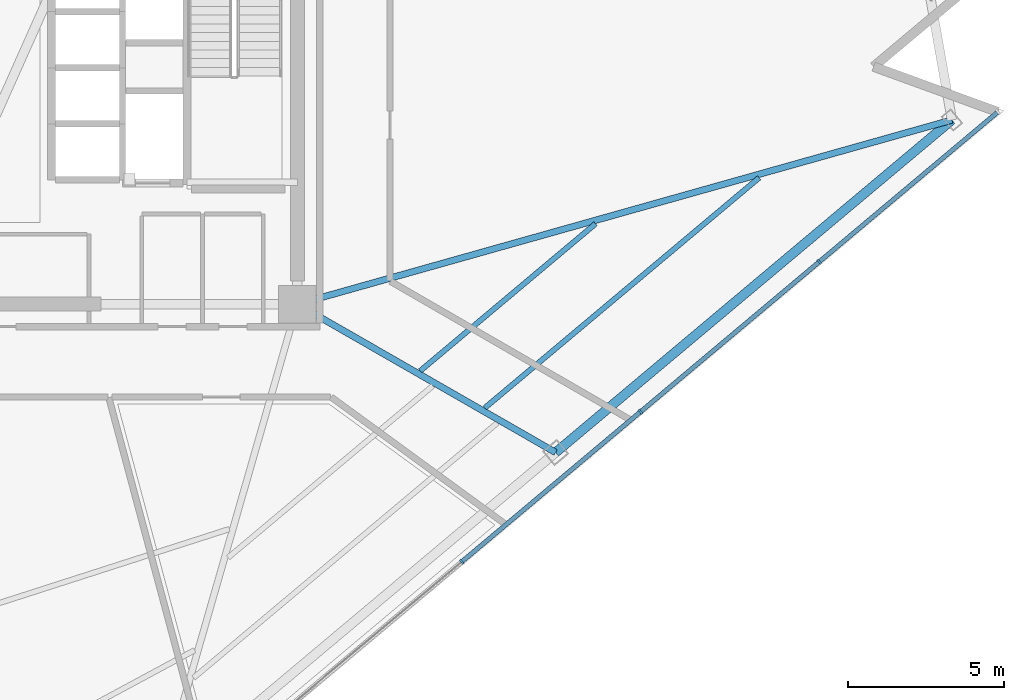
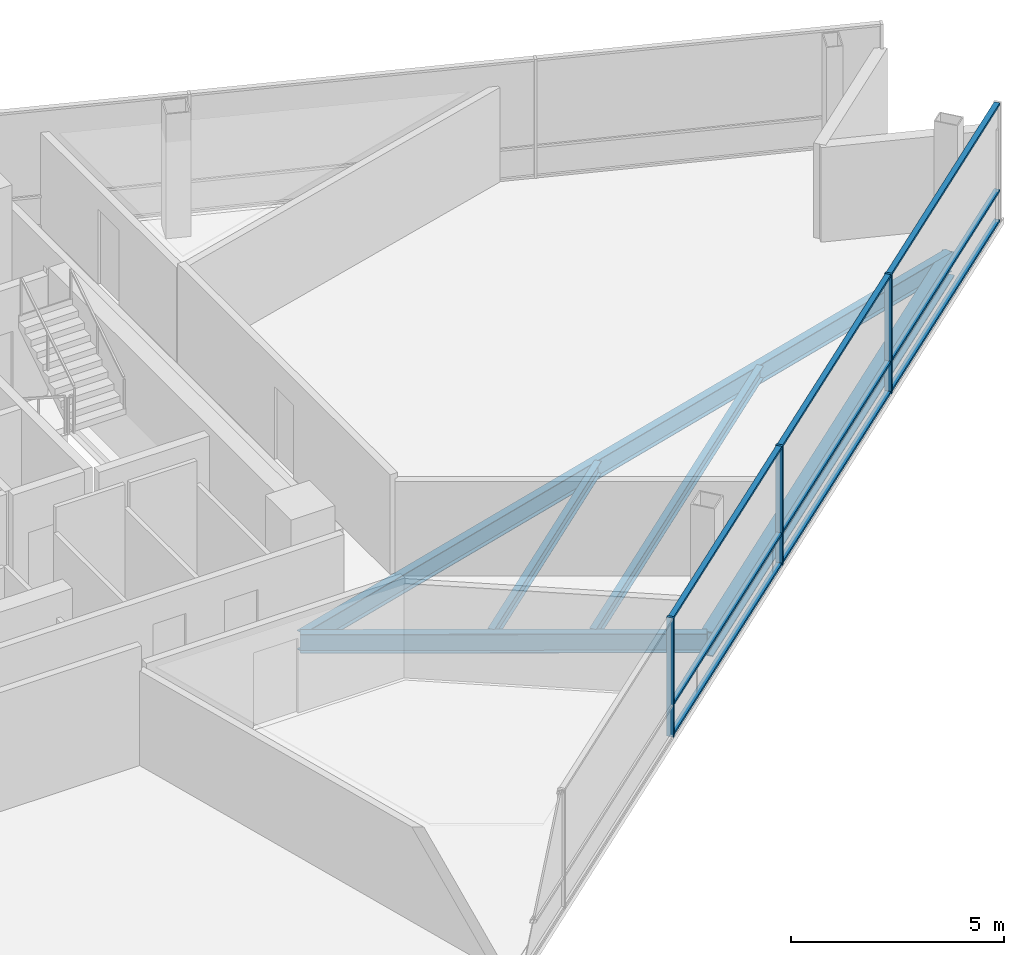
# One storey, part 4 of 15: 12 members, 5 beams, 1 element without a shape of its own.
"""IFC4 building model written with IfcOpenShell, lengths in metres."""

from ifc_helpers import new_model, si_unit, direction, frame, origin, origin_2d, place, context, subcontext, project, spatial, rectangle, i_section, extrude, material, layer, layer_set, material_profile, profile_set, type_object, element, aggregate, save


model = new_model("IFC4")

# Units and contexts
model_context = context("Model", 3, precision=1e-05, world=origin(), true_north=direction((0.0, 1.0)))
body_context = subcontext(model_context, "Body", "Model", "MODEL_VIEW")
ifc_project = project(units=[si_unit("LENGTHUNIT", "METRE"), si_unit("AREAUNIT", "SQUARE_METRE"), si_unit("VOLUMEUNIT", "CUBIC_METRE"), si_unit("PLANEANGLEUNIT", "RADIAN"), si_unit("MASSUNIT", "GRAM", prefix="KILO")], contexts=[model_context])

# Site, building, storey
site_placement = place(None, origin())
site = spatial("IfcSite", under=ifc_project, at=site_placement, CompositionType="ELEMENT")
building_placement = place(site_placement, origin())
building = spatial("IfcBuilding", under=site, at=building_placement, Name="Tharavind Bronze Gate", CompositionType="ELEMENT")
storey_placement = place(building_placement, frame((0.0, 0.0, 177.699951171875)))
storey = spatial("IfcBuildingStorey", under=building, at=storey_placement, Name="L45", CompositionType="ELEMENT", Elevation=177.699951171875)

# Curtain wall, members
ifc_material_1 = material(Name="Anodised Bronze Aluminium", Category="aluminium")
ifc_layer = layer(ifc_material_1, 0.219970703125)
ifc_layer_set = layer_set([ifc_layer], Name="Anodised Bronze Aluminium")
curtain_wall_type = type_object("IfcCurtainWallType", Name="UNITISED CURTAIN WALL MID OFFICE", PredefinedType="USERDEFINED", material=ifc_layer_set)
curtain_wall_placement = place(storey_placement, origin())
curtain_wall = element("IfcCurtainWall", 1, at=curtain_wall_placement, inside=storey, type_object=curtain_wall_type, Name="L45 unitised curtain wall mid office CW-L45-S2", ObjectType="UNITISED CURTAIN WALL", PredefinedType="USERDEFINED")
member_type_1 = type_object("IfcMemberType", Name="CURTAIN WALL BRONZE MULLION 65X180", PredefinedType="MULLION", material=ifc_material_1)
member_1_placement = place(storey_placement, frame((14.18408203125, -15.873291015625, 0.0), z_axis=(0.0, 0.0, 1.0), x_axis=(0.766043321242, 0.642788946685, 0.0)))
member_1 = element("IfcMember", 2, at=member_1_placement, type_object=member_type_1, Name="CW-L45-S2 mullion 5", PredefinedType="MULLION", context=body_context, shape_type="SweptSolid", body=[
    extrude(rectangle(XDim=0.06494140625, YDim=0.179931640625, at=origin_2d()), origin(), (0.0, 0.0, 1.0), 3.419921875),
])
member_2_placement = place(storey_placement, frame((19.926513671875, -11.0546875, 0.0), z_axis=(0.0, 0.0, 1.0), x_axis=(0.766043321242, 0.642788946685, 0.0)))
member_2 = element("IfcMember", 3, at=member_2_placement, type_object=member_type_1, Name="CW-L45-S2 mullion 6", PredefinedType="MULLION", context=body_context, shape_type="SweptSolid", body=[
    extrude(rectangle(XDim=0.06494140625, YDim=0.179931640625, at=origin_2d()), origin(), (0.0, 0.0, 1.0), 3.419921875),
])
member_3_placement = place(storey_placement, frame((25.668701171875, -6.236572265625, 0.0), z_axis=(0.0, 0.0, 1.0), x_axis=(0.766043321242, 0.642788946685, 0.0)))
member_3 = element("IfcMember", 4, at=member_3_placement, type_object=member_type_1, Name="CW-L45-S2 mullion 7", PredefinedType="MULLION", context=body_context, shape_type="SweptSolid", body=[
    extrude(rectangle(XDim=0.06494140625, YDim=0.179931640625, at=origin_2d()), origin(), (0.0, 0.0, 1.0), 3.419921875),
])
member_type_2 = type_object("IfcMemberType", Name="CURTAIN WALL BRONZE TRANSOM 65X140", PredefinedType="USERDEFINED", material=ifc_material_1)
member_4_placement = place(storey_placement, frame((17.055419921875, -13.464111328125, 0.0), z_axis=(0.0, 0.0, 1.0), x_axis=(0.766043321242, 0.642788946685, 0.0)))
member_4 = element("IfcMember", 5, at=member_4_placement, type_object=member_type_2, Name="CW-L45-S2 transom TB5", ObjectType="TRANSOM", PredefinedType="USERDEFINED", context=body_context, shape_type="SweptSolid", body=[
    extrude(rectangle(XDim=7.443115234375, YDim=0.139892578125, at=origin_2d()), origin(), (0.0, 0.0, 1.0), 0.06494140625),
])
member_5_placement = place(storey_placement, frame((17.055419921875, -13.464111328125, 0.86767578125), z_axis=(0.0, 0.0, 1.0), x_axis=(0.766043321242, 0.642788946685, 0.0)))
member_5 = element("IfcMember", 6, at=member_5_placement, type_object=member_type_2, Name="CW-L45-S2 transom TS5", ObjectType="TRANSOM", PredefinedType="USERDEFINED", context=body_context, shape_type="SweptSolid", body=[
    extrude(rectangle(XDim=7.443115234375, YDim=0.139892578125, at=origin_2d()), origin(), (0.0, 0.0, 1.0), 0.06494140625),
])
member_6_placement = place(storey_placement, frame((17.055419921875, -13.464111328125, 3.35498046875), z_axis=(0.0, 0.0, 1.0), x_axis=(0.766043321242, 0.642788946685, 0.0)))
member_6 = element("IfcMember", 7, at=member_6_placement, type_object=member_type_2, Name="CW-L45-S2 transom TT5", ObjectType="TRANSOM", PredefinedType="USERDEFINED", context=body_context, shape_type="SweptSolid", body=[
    extrude(rectangle(XDim=7.443115234375, YDim=0.139892578125, at=origin_2d()), origin(), (0.0, 0.0, 1.0), 0.06494140625),
])
member_7_placement = place(storey_placement, frame((22.797607421875, -8.645751953125, 0.0), z_axis=(0.0, 0.0, 1.0), x_axis=(0.766043321242, 0.642788946685, 0.0)))
member_7 = element("IfcMember", 8, at=member_7_placement, type_object=member_type_2, Name="CW-L45-S2 transom TB6", ObjectType="TRANSOM", PredefinedType="USERDEFINED", context=body_context, shape_type="SweptSolid", body=[
    extrude(rectangle(XDim=7.443115234375, YDim=0.139892578125, at=origin_2d()), origin(), (0.0, 0.0, 1.0), 0.06494140625),
])
member_8_placement = place(storey_placement, frame((22.797607421875, -8.645751953125, 0.86767578125), z_axis=(0.0, 0.0, 1.0), x_axis=(0.766043321242, 0.642788946685, 0.0)))
member_8 = element("IfcMember", 9, at=member_8_placement, type_object=member_type_2, Name="CW-L45-S2 transom TS6", ObjectType="TRANSOM", PredefinedType="USERDEFINED", context=body_context, shape_type="SweptSolid", body=[
    extrude(rectangle(XDim=7.443115234375, YDim=0.139892578125, at=origin_2d()), origin(), (0.0, 0.0, 1.0), 0.06494140625),
])
member_9_placement = place(storey_placement, frame((22.797607421875, -8.645751953125, 3.35498046875), z_axis=(0.0, 0.0, 1.0), x_axis=(0.766043321242, 0.642788946685, 0.0)))
member_9 = element("IfcMember", 10, at=member_9_placement, type_object=member_type_2, Name="CW-L45-S2 transom TT6", ObjectType="TRANSOM", PredefinedType="USERDEFINED", context=body_context, shape_type="SweptSolid", body=[
    extrude(rectangle(XDim=7.443115234375, YDim=0.139892578125, at=origin_2d()), origin(), (0.0, 0.0, 1.0), 0.06494140625),
])
member_10_placement = place(storey_placement, frame((28.539794921875, -3.827392578125, 0.0), z_axis=(0.0, 0.0, 1.0), x_axis=(0.766043321242, 0.642788946685, 0.0)))
member_10 = element("IfcMember", 11, at=member_10_placement, type_object=member_type_2, Name="CW-L45-S2 transom TB7", ObjectType="TRANSOM", PredefinedType="USERDEFINED", context=body_context, shape_type="SweptSolid", body=[
    extrude(rectangle(XDim=7.443115234375, YDim=0.139892578125, at=origin_2d()), origin(), (0.0, 0.0, 1.0), 0.06494140625),
])
member_11_placement = place(storey_placement, frame((28.539794921875, -3.827392578125, 0.86767578125), z_axis=(0.0, 0.0, 1.0), x_axis=(0.766043321242, 0.642788946685, 0.0)))
member_11 = element("IfcMember", 12, at=member_11_placement, type_object=member_type_2, Name="CW-L45-S2 transom TS7", ObjectType="TRANSOM", PredefinedType="USERDEFINED", context=body_context, shape_type="SweptSolid", body=[
    extrude(rectangle(XDim=7.443115234375, YDim=0.139892578125, at=origin_2d()), origin(), (0.0, 0.0, 1.0), 0.06494140625),
])
member_12_placement = place(storey_placement, frame((28.539794921875, -3.827392578125, 3.35498046875), z_axis=(0.0, 0.0, 1.0), x_axis=(0.766043321242, 0.642788946685, 0.0)))
member_12 = element("IfcMember", 13, at=member_12_placement, type_object=member_type_2, Name="CW-L45-S2 transom TT7", ObjectType="TRANSOM", PredefinedType="USERDEFINED", context=body_context, shape_type="SweptSolid", body=[
    extrude(rectangle(XDim=7.443115234375, YDim=0.139892578125, at=origin_2d()), origin(), (0.0, 0.0, 1.0), 0.06494140625),
])
aggregate(curtain_wall, [member_1, member_2, member_3, member_4, member_5, member_6, member_7, member_8, member_9, member_10, member_11, member_12])

# Beams
ifc_material_2 = material(Name="Steel S355", Category="steel")
ifc_material_profile_1 = material_profile(ifc_material_2, i_section(OverallWidth=0.2099609375, OverallDepth=0.550048828125, WebThickness=0.010986328125, FlangeThickness=0.01708984375, at=origin_2d()), Name="IPE550")
ifc_profile_set_1 = profile_set([ifc_material_profile_1], Name="Steel S355")
beam_type_1 = type_object("IfcBeamType", Name="PRIMARY GIRDER IPE550", PredefinedType="USERDEFINED", material=ifc_profile_set_1)
beam_1_placement = place(storey_placement, frame((17.198486328125, -12.36474609375, -0.454833984375), z_axis=(-0.867223923142, 0.497918333796, 0.0), x_axis=(-0.497918333796, -0.867223923142, 0.0)))
element("IfcBeam", 14, at=beam_1_placement, inside=storey, type_object=beam_type_1, Name="L45 primary girder ipe550 BM-L45-RAD07", ObjectType="GIRDER", PredefinedType="USERDEFINED", context=body_context, shape_type="SweptSolid", body=[
    extrude(i_section(OverallWidth=0.2099609375, OverallDepth=0.550048828125, WebThickness=0.010986328125, FlangeThickness=0.01708984375, at=origin_2d()), origin(), (0.0, 0.0, 1.0), 9.569091796875),
])
beam_2_placement = place(storey_placement, frame((29.933837890625, -1.6787109375, -0.454833984375), z_axis=(-0.962584208387, -0.270982733332, 0.0), x_axis=(0.270982733332, -0.962584208387, 0.0)))
element("IfcBeam", 15, at=beam_2_placement, inside=storey, type_object=beam_type_1, Name="L45 primary girder ipe550 BM-L45-RAD08", ObjectType="GIRDER", PredefinedType="USERDEFINED", context=body_context, shape_type="SweptSolid", body=[
    extrude(i_section(OverallWidth=0.2099609375, OverallDepth=0.550048828125, WebThickness=0.010986328125, FlangeThickness=0.01708984375, at=origin_2d()), origin(), (0.0, 0.0, 1.0), 21.8515625),
])
ifc_material_profile_2 = material_profile(ifc_material_2, i_section(OverallWidth=0.300048828125, OverallDepth=0.699951171875, WebThickness=0.01708984375, FlangeThickness=0.031982421875, at=origin_2d()), Name="HE700B")
ifc_profile_set_2 = profile_set([ifc_material_profile_2], Name="Steel S355")
beam_type_2 = type_object("IfcBeamType", Name="RING GIRDER HE700B", PredefinedType="USERDEFINED", material=ifc_profile_set_2)
beam_3_placement = place(storey_placement, frame((17.198486328125, -12.36474609375, -0.530029296875), z_axis=(0.766050178558, 0.642780774394, 0.0), x_axis=(-0.642780774394, 0.766050178558, 0.0)))
element("IfcBeam", 16, at=beam_3_placement, inside=storey, type_object=beam_type_2, Name="L45 ring girder he700b BM-L45-PRG07", ObjectType="GIRDER", PredefinedType="USERDEFINED", context=body_context, shape_type="SweptSolid", body=[
    extrude(i_section(OverallWidth=0.300048828125, OverallDepth=0.699951171875, WebThickness=0.01708984375, FlangeThickness=0.031982421875, at=origin_2d()), origin(), (0.0, 0.0, 1.0), 16.624755859375),
])
ifc_material_profile_3 = material_profile(ifc_material_2, i_section(OverallWidth=0.169921875, OverallDepth=0.360107421875, WebThickness=0.008056640625, FlangeThickness=0.0126953125, at=origin_2d()), Name="IPE360")
ifc_profile_set_3 = profile_set([ifc_material_profile_3], Name="Steel S355")
beam_type_3 = type_object("IfcBeamType", Name="SECONDARY FLOOR JOIST IPE360", PredefinedType="JOIST", material=ifc_profile_set_3)
beam_4_placement = place(storey_placement, frame((12.84765625, -9.7412109375, -0.35986328125), z_axis=(0.76602387, 0.642812126979, 0.0), x_axis=(-0.642812126979, 0.76602387, 0.0)))
element("IfcBeam", 17, at=beam_4_placement, inside=storey, type_object=beam_type_3, Name="L45 secondary floor joist ipe360 BM-L45-JSTA07", PredefinedType="JOIST", context=body_context, shape_type="SweptSolid", body=[
    extrude(i_section(OverallWidth=0.169921875, OverallDepth=0.360107421875, WebThickness=0.008056640625, FlangeThickness=0.0126953125, at=origin_2d()), origin(), (0.0, 0.0, 1.0), 7.355224609375),
])
beam_5_placement = place(storey_placement, frame((14.922119140625, -10.932373046875, -0.35986328125), z_axis=(0.766047353374, 0.642784141364, 0.0), x_axis=(-0.642784141364, 0.766047353374, 0.0)))
element("IfcBeam", 18, at=beam_5_placement, inside=storey, type_object=beam_type_3, Name="L45 secondary floor joist ipe360 BM-L45-JSTB07", PredefinedType="JOIST", context=body_context, shape_type="SweptSolid", body=[
    extrude(i_section(OverallWidth=0.169921875, OverallDepth=0.360107421875, WebThickness=0.008056640625, FlangeThickness=0.0126953125, at=origin_2d()), origin(), (0.0, 0.0, 1.0), 11.511474609375),
])

save(model, "model.ifc")
